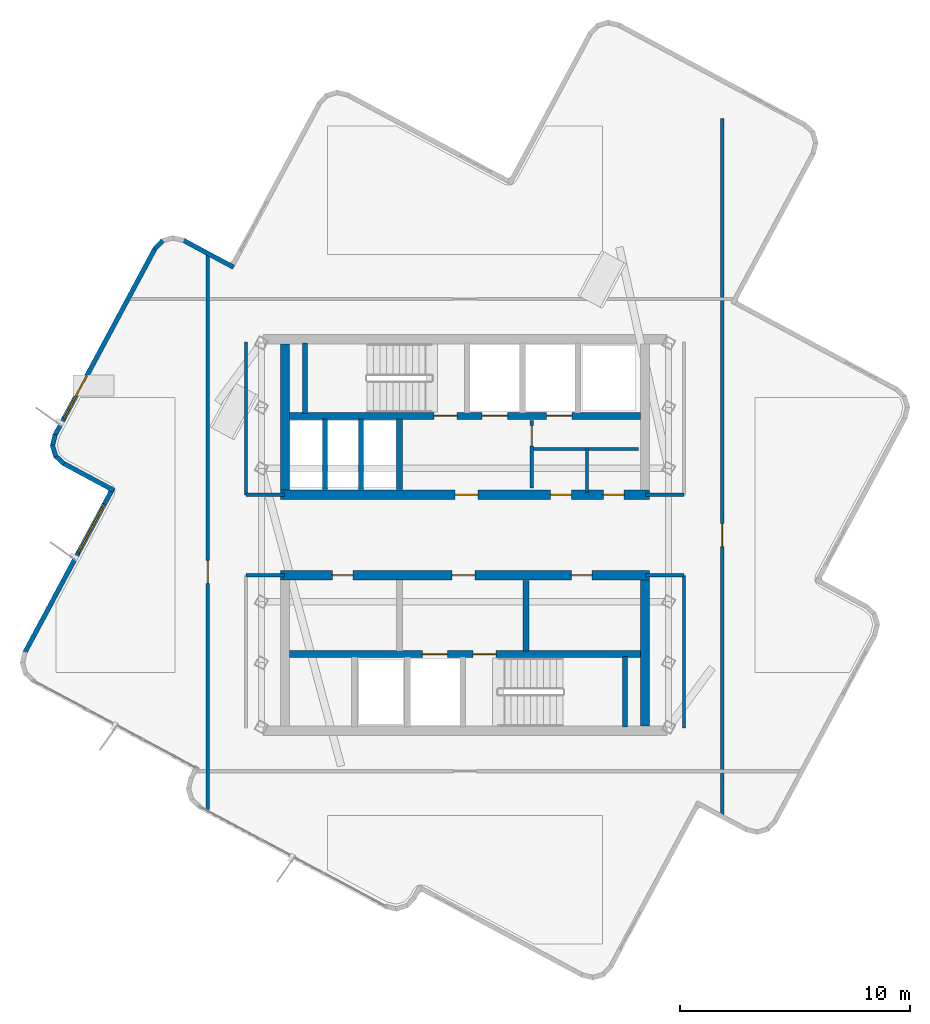
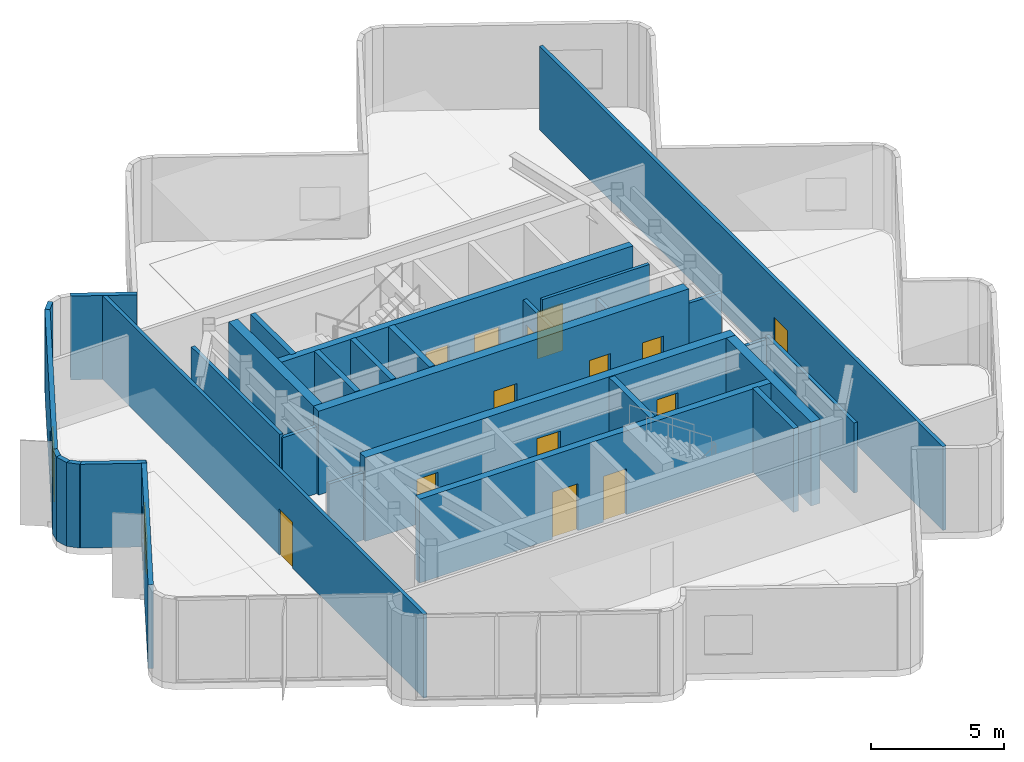
# One storey, part 4 of 9: 31 walls, 14 doors, 2 windows, 16 openings.
"""IFC4 building model written with IfcOpenShell, lengths in metres."""

from ifc_helpers import new_model, si_unit, direction, frame, frame_2d, origin, place, context, subcontext, project, spatial, rectangle, extrude, material, layer, layer_set, type_object, element, fill, save


model = new_model("IFC4")

# Units and contexts
model_context = context("Model", 3, precision=1e-05, world=origin(), true_north=direction((0.0, 1.0)))
body_context = subcontext(model_context, "Body", "Model", "MODEL_VIEW")
ifc_project = project(units=[si_unit("LENGTHUNIT", "METRE"), si_unit("AREAUNIT", "SQUARE_METRE"), si_unit("VOLUMEUNIT", "CUBIC_METRE"), si_unit("PLANEANGLEUNIT", "RADIAN"), si_unit("MASSUNIT", "GRAM", prefix="KILO")], contexts=[model_context])

# Site, building, storey
site_placement = place(None, origin())
site = spatial("IfcSite", under=ifc_project, at=site_placement, CompositionType="ELEMENT")
building_placement = place(site_placement, origin())
building = spatial("IfcBuilding", under=site, at=building_placement, Name="Solmarez Civic Tower", CompositionType="ELEMENT")
storey_placement = place(building_placement, frame((0.0, 0.0, 285.1201171875)))
storey = spatial("IfcBuildingStorey", under=building, at=storey_placement, Name="L77 Crown", CompositionType="ELEMENT", Elevation=285.1201171875)

# Wall, openings, doors
ifc_material_1 = material(Name="Concrete C50/60", Category="concrete")
ifc_layer_1 = layer(ifc_material_1, 0.39990234375)
ifc_layer_set_1 = layer_set([ifc_layer_1], Name="Concrete C50/60")
wall_type_1 = type_object("IfcWallType", Name="WALL-CORE-400", PredefinedType="SHEAR", material=ifc_layer_set_1)
wall_1_placement = place(storey_placement, frame((8.02001953125, 1.75, 0.0), z_axis=(0.0, 0.0, 1.0), x_axis=(-1.0, 0.0, 0.0)))
wall_1 = element("IfcWall", 1, at=wall_1_placement, inside=storey, type_object=wall_type_1, Name="L77 Crown Split-Core Structural Wall NCW-S-L77 Crown", PredefinedType="SHEAR", context=body_context, shape_type="SweptSolid", body=[
    extrude(rectangle(XDim=16.0400390625, YDim=0.39990234375, at=frame_2d((8.02001953125, 0.0))), origin(), (0.0, 0.0, 1.0), 3.83984375),
])
opening_1_placement = place(wall_1_placement, frame((7.449951171875, 0.0, 0.0)))
opening_1 = element("IfcOpeningElement", 2, at=opening_1_placement, cuts=wall_1, Name="Opening D-04", PredefinedType="OPENING", context=body_context, shape_type="SweptSolid", body=[
    extrude(rectangle(XDim=1.0, YDim=2.10009765625, at=frame_2d((0.5, 1.050048828125))), frame((0.0, 0.2099609375, 0.0), z_axis=(0.0, -1.0, 0.0), x_axis=(1.0, 0.0, 0.0)), (0.0, 0.0, 1.0), 0.419921875),
])
opening_2_placement = place(wall_1_placement, frame((3.39990234375, 0.0, 0.0)))
opening_2 = element("IfcOpeningElement", 3, at=opening_2_placement, cuts=wall_1, Name="Opening D-09", PredefinedType="OPENING", context=body_context, shape_type="SweptSolid", body=[
    extrude(rectangle(XDim=0.89990234375, YDim=2.06005859375, at=frame_2d((0.449951171875, 1.030029296875))), frame((0.0, 0.2099609375, 0.0), z_axis=(0.0, -1.0, 0.0), x_axis=(1.0, 0.0, 0.0)), (0.0, 0.0, 1.0), 0.419921875),
])
opening_3_placement = place(wall_1_placement, frame((1.10009765625, 0.0, 0.0)))
opening_3 = element("IfcOpeningElement", 4, at=opening_3_placement, cuts=wall_1, Name="Opening D-09", PredefinedType="OPENING", context=body_context, shape_type="SweptSolid", body=[
    extrude(rectangle(XDim=0.89990234375, YDim=2.06005859375, at=frame_2d((0.449951171875, 1.030029296875))), frame((0.0, 0.2099609375, 0.0), z_axis=(0.0, -1.0, 0.0), x_axis=(1.0, 0.0, 0.0)), (0.0, 0.0, 1.0), 0.419921875),
])
ifc_material_2 = material(Name="Steel-Faced Acoustic Fire Door", Category="steel")
door_type_1 = type_object("IfcDoorType", Name="DOOR-FD60-1000", OperationType="NOTDEFINED", PredefinedType="DOOR", material=ifc_material_2)
door_1_placement = place(opening_1_placement, origin())
door_1 = element("IfcDoor", 5, at=door_1_placement, inside=storey, type_object=door_type_1, Name="L77 Crown North Firefighting Lobby Door", OperationType="SINGLE_SWING_RIGHT", OverallHeight=2.10009765625, OverallWidth=1.0, PredefinedType="DOOR", context=body_context, shape_type="SweptSolid", body=[
    extrude(rectangle(XDim=1.0, YDim=2.10009765625, at=frame_2d((0.5, 1.050048828125))), frame((0.0, 0.02490234375, 0.0), z_axis=(0.0, -1.0, 0.0), x_axis=(1.0, 0.0, 0.0)), (0.0, 0.0, 1.0), 0.050048828125),
])
fill(opening_1, door_1)
ifc_material_3 = material(Name="Fire-Rated Service Core Door", Category="wood")
door_type_2 = type_object("IfcDoorType", Name="DOOR-FD60-900", OperationType="NOTDEFINED", PredefinedType="DOOR", material=ifc_material_3)
door_2_placement = place(opening_2_placement, origin())
door_2 = element("IfcDoor", 6, at=door_2_placement, inside=storey, type_object=door_type_2, Name="L77 Crown Core WC Door", OperationType="SINGLE_SWING_LEFT", OverallHeight=2.06005859375, OverallWidth=0.89990234375, PredefinedType="DOOR", context=body_context, shape_type="SweptSolid", body=[
    extrude(rectangle(XDim=0.89990234375, YDim=2.06005859375, at=frame_2d((0.449951171875, 1.030029296875))), frame((0.0, 0.02490234375, 0.0), z_axis=(0.0, -1.0, 0.0), x_axis=(1.0, 0.0, 0.0)), (0.0, 0.0, 1.0), 0.050048828125),
])
fill(opening_2, door_2)
door_3_placement = place(opening_3_placement, origin())
door_3 = element("IfcDoor", 7, at=door_3_placement, inside=storey, type_object=door_type_2, Name="L77 Crown Core CL Door", OperationType="SINGLE_SWING_RIGHT", OverallHeight=2.06005859375, OverallWidth=0.89990234375, PredefinedType="DOOR", context=body_context, shape_type="SweptSolid", body=[
    extrude(rectangle(XDim=0.89990234375, YDim=2.06005859375, at=frame_2d((0.449951171875, 1.030029296875))), frame((0.0, 0.02490234375, 0.0), z_axis=(0.0, -1.0, 0.0), x_axis=(1.0, 0.0, 0.0)), (0.0, 0.0, 1.0), 0.050048828125),
])
fill(opening_3, door_3)

# Wall
wall_2_placement = place(storey_placement, frame((-7.820068359375, 1.949951171875, 0.0), z_axis=(0.0, 0.0, 1.0), x_axis=(0.0, 1.0, 0.0)))
element("IfcWall", 8, at=wall_2_placement, inside=storey, type_object=wall_type_1, Name="L77 Crown Split-Core Structural Wall NCW-W-L77 Crown", PredefinedType="SHEAR", context=body_context, shape_type="SweptSolid", body=[
    extrude(rectangle(XDim=6.360107421875, YDim=0.39990234375, at=frame_2d((3.18017578125, 0.0))), origin(), (0.0, 0.0, 1.0), 3.83984375),
])

# Wall, openings, doors
wall_3_placement = place(storey_placement, frame((-8.02001953125, -1.75, 0.0), z_axis=(0.0, 0.0, 1.0), x_axis=(1.0, 0.0, 0.0)))
wall_3 = element("IfcWall", 9, at=wall_3_placement, inside=storey, type_object=wall_type_1, Name="L77 Crown Split-Core Structural Wall SCW-N-L77 Crown", PredefinedType="SHEAR", context=body_context, shape_type="SweptSolid", body=[
    extrude(rectangle(XDim=16.0400390625, YDim=0.39990234375, at=frame_2d((8.02001953125, 0.0))), origin(), (0.0, 0.0, 1.0), 3.83984375),
])
opening_4_placement = place(wall_3_placement, frame((7.449951171875, 0.0, 0.0)))
opening_4 = element("IfcOpeningElement", 10, at=opening_4_placement, cuts=wall_3, Name="Opening D-04", PredefinedType="OPENING", context=body_context, shape_type="SweptSolid", body=[
    extrude(rectangle(XDim=1.0, YDim=2.10009765625, at=frame_2d((0.5, 1.050048828125))), frame((0.0, 0.2099609375, 0.0), z_axis=(0.0, -1.0, 0.0), x_axis=(1.0, 0.0, 0.0)), (0.0, 0.0, 1.0), 0.419921875),
])
opening_5_placement = place(wall_3_placement, frame((12.64990234375, 0.0, 0.0)))
opening_5 = element("IfcOpeningElement", 11, at=opening_5_placement, cuts=wall_3, Name="Opening D-09", PredefinedType="OPENING", context=body_context, shape_type="SweptSolid", body=[
    extrude(rectangle(XDim=0.89990234375, YDim=2.06005859375, at=frame_2d((0.449951171875, 1.030029296875))), frame((0.0, 0.2099609375, 0.0), z_axis=(0.0, -1.0, 0.0), x_axis=(1.0, 0.0, 0.0)), (0.0, 0.0, 1.0), 0.419921875),
])
opening_6_placement = place(wall_3_placement, frame((2.25, 0.0, 0.0)))
opening_6 = element("IfcOpeningElement", 12, at=opening_6_placement, cuts=wall_3, Name="Opening D-09", PredefinedType="OPENING", context=body_context, shape_type="SweptSolid", body=[
    extrude(rectangle(XDim=0.89990234375, YDim=2.06005859375, at=frame_2d((0.449951171875, 1.030029296875))), frame((0.0, 0.2099609375, 0.0), z_axis=(0.0, -1.0, 0.0), x_axis=(1.0, 0.0, 0.0)), (0.0, 0.0, 1.0), 0.419921875),
])
door_4_placement = place(opening_4_placement, origin())
door_4 = element("IfcDoor", 13, at=door_4_placement, inside=storey, type_object=door_type_1, Name="L77 Crown South Firefighting Lobby Door", OperationType="SINGLE_SWING_LEFT", OverallHeight=2.10009765625, OverallWidth=1.0, PredefinedType="DOOR", context=body_context, shape_type="SweptSolid", body=[
    extrude(rectangle(XDim=1.0, YDim=2.10009765625, at=frame_2d((0.5, 1.050048828125))), frame((0.0, 0.02490234375, 0.0), z_axis=(0.0, -1.0, 0.0), x_axis=(1.0, 0.0, 0.0)), (0.0, 0.0, 1.0), 0.050048828125),
])
fill(opening_4, door_4)
door_5_placement = place(opening_5_placement, origin())
door_5 = element("IfcDoor", 14, at=door_5_placement, inside=storey, type_object=door_type_2, Name="L77 Crown Freed Hoistway Mailroom Door", OperationType="SINGLE_SWING_LEFT", OverallHeight=2.06005859375, OverallWidth=0.89990234375, PredefinedType="DOOR", context=body_context, shape_type="SweptSolid", body=[
    extrude(rectangle(XDim=0.89990234375, YDim=2.06005859375, at=frame_2d((0.449951171875, 1.030029296875))), frame((0.0, 0.02490234375, 0.0), z_axis=(0.0, -1.0, 0.0), x_axis=(1.0, 0.0, 0.0)), (0.0, 0.0, 1.0), 0.050048828125),
])
fill(opening_5, door_5)
door_6_placement = place(opening_6_placement, origin())
door_6 = element("IfcDoor", 15, at=door_6_placement, inside=storey, type_object=door_type_2, Name="L77 Crown Delegation Tea Pantry Door", OperationType="SINGLE_SWING_RIGHT", OverallHeight=2.06005859375, OverallWidth=0.89990234375, PredefinedType="DOOR", context=body_context, shape_type="SweptSolid", body=[
    extrude(rectangle(XDim=0.89990234375, YDim=2.06005859375, at=frame_2d((0.449951171875, 1.030029296875))), frame((0.0, 0.02490234375, 0.0), z_axis=(0.0, -1.0, 0.0), x_axis=(1.0, 0.0, 0.0)), (0.0, 0.0, 1.0), 0.050048828125),
])
fill(opening_6, door_6)

# Wall
wall_4_placement = place(storey_placement, frame((7.820068359375, -1.949951171875, 0.0), z_axis=(0.0, 0.0, 1.0), x_axis=(0.0, -1.0, 0.0)))
element("IfcWall", 16, at=wall_4_placement, inside=storey, type_object=wall_type_1, Name="L77 Crown Split-Core Structural Wall SCW-E-L77 Crown", PredefinedType="SHEAR", context=body_context, shape_type="SweptSolid", body=[
    extrude(rectangle(XDim=6.360107421875, YDim=0.39990234375, at=frame_2d((3.18017578125, 0.0))), origin(), (0.0, 0.0, 1.0), 3.83984375),
])

# Wall, opening, window
ifc_material_4 = material(Name="Precast concrete C40/50", Category="concrete")
ifc_layer_2 = layer(ifc_material_4, 0.199951171875)
ifc_layer_set_2 = layer_set([ifc_layer_2], Name="Precast concrete C40/50")
wall_type_2 = type_object("IfcWallType", Name="WALL-EXT-200", PredefinedType="SOLIDWALL", material=ifc_layer_set_2)
wall_5_placement = place(storey_placement, frame((-19.14404296875, -5.1240234375, 0.0), z_axis=(0.0, 0.0, 1.0), x_axis=(0.472628491439, 0.881261771031, 0.0)))
wall_5 = element("IfcWall", 17, at=wall_5_placement, inside=storey, type_object=wall_type_2, Name="L77 Crown Exterior Precast Wall 17", PredefinedType="SOLIDWALL", context=body_context, shape_type="SweptSolid", body=[
    extrude(rectangle(XDim=8.137451171875, YDim=0.199951171875, at=frame_2d((4.06884765625, 0.0))), origin(), (0.0, 0.0, 1.0), 3.83984375),
])
opening_7_placement = place(wall_5_placement, frame((4.93701171875, 0.0, 0.85009765625)))
opening_7 = element("IfcOpeningElement", 18, at=opening_7_placement, cuts=wall_5, Name="Opening W-10", PredefinedType="OPENING", context=body_context, shape_type="SweptSolid", body=[
    extrude(rectangle(XDim=2.39990234375, YDim=1.64990234375, at=frame_2d((1.199951171875, 0.824951171875))), frame((0.0, 0.10986328125, 0.0), z_axis=(0.0, -1.0, 0.0), x_axis=(1.0, 0.0, 0.0)), (0.0, 0.0, 1.0), 0.219970703125),
])
ifc_material_5 = material(Name="Solar Control Bronze-Tinted Insulating Glass", Category="glass")
window_type_1 = type_object("IfcWindowType", Name="WIN-2400X1650", PartitioningType="SINGLE_PANEL", PredefinedType="WINDOW", material=ifc_material_5)
window_1_placement = place(opening_7_placement, origin())
window_1 = element("IfcWindow", 19, at=window_1_placement, inside=storey, type_object=window_type_1, Name="L77 Crown Exterior Facade Window 17", OverallHeight=1.64990234375, OverallWidth=2.39990234375, PartitioningType="SINGLE_PANEL", PredefinedType="WINDOW", context=body_context, shape_type="SweptSolid", body=[
    extrude(rectangle(XDim=2.39990234375, YDim=1.64990234375, at=frame_2d((1.199951171875, 0.824951171875))), frame((0.0, 0.030029296875, 0.0), z_axis=(0.0, -1.0, 0.0), x_axis=(1.0, 0.0, 0.0)), (0.0, 0.0, 1.0), 0.06005859375),
])
fill(opening_7, window_1)

# Walls
wall_6_placement = place(storey_placement, frame((-15.264892578125, 1.93798828125, 0.0), z_axis=(0.0, 0.0, 1.0), x_axis=(-0.881265297533, 0.472621915875, 0.0)))
element("IfcWall", 20, at=wall_6_placement, inside=storey, type_object=wall_type_2, Name="L77 Crown Exterior Precast Wall 20", PredefinedType="SOLIDWALL", context=body_context, shape_type="SweptSolid", body=[
    extrude(rectangle(XDim=2.503173828125, YDim=0.199951171875, at=frame_2d((1.25146484375, 0.0))), origin(), (0.0, 0.0, 1.0), 3.83984375),
])
wall_7_placement = place(storey_placement, frame((-17.430908203125, 3.092041015625, 0.0), z_axis=(0.0, 0.0, 1.0), x_axis=(-0.728771001466, 0.684757495338, 0.0)))
element("IfcWall", 21, at=wall_7_placement, inside=storey, type_object=wall_type_2, Name="L77 Crown Exterior Precast Wall 21", PredefinedType="SOLIDWALL", context=body_context, shape_type="SweptSolid", body=[
    extrude(rectangle(XDim=0.52685546875, YDim=0.199951171875, at=frame_2d((0.263427734375, 0.0))), origin(), (0.0, 0.0, 1.0), 3.83984375),
])
wall_8_placement = place(storey_placement, frame((-17.7900390625, 3.412109375, 0.0), z_axis=(0.0, 0.0, 1.0), x_axis=(-0.287478448092, 0.957787106763, 0.0)))
element("IfcWall", 22, at=wall_8_placement, inside=storey, type_object=wall_type_2, Name="L77 Crown Exterior Precast Wall 22", PredefinedType="SOLIDWALL", context=body_context, shape_type="SweptSolid", body=[
    extrude(rectangle(XDim=0.5146484375, YDim=0.199951171875, at=frame_2d((0.25732421875, 0.0))), origin(), (0.0, 0.0, 1.0), 3.83984375),
])
wall_9_placement = place(storey_placement, frame((-17.93701171875, 3.85693359375, 0.0), z_axis=(0.0, 0.0, 1.0), x_axis=(0.229658673522, 0.973271233355, 0.0)))
element("IfcWall", 23, at=wall_9_placement, inside=storey, type_object=wall_type_2, Name="L77 Crown Exterior Precast Wall 23", PredefinedType="SOLIDWALL", context=body_context, shape_type="SweptSolid", body=[
    extrude(rectangle(XDim=0.52734375, YDim=0.199951171875, at=frame_2d((0.263671875, 0.0))), origin(), (0.0, 0.0, 1.0), 3.83984375),
])

# Wall, opening, window
wall_10_placement = place(storey_placement, frame((-17.833984375, 4.323974609375, 0.0), z_axis=(0.0, 0.0, 1.0), x_axis=(0.472635928498, 0.881257782429, 0.0)))
wall_10 = element("IfcWall", 24, at=wall_10_placement, inside=storey, type_object=wall_type_2, Name="L77 Crown Exterior Precast Wall 24", PredefinedType="SOLIDWALL", context=body_context, shape_type="SweptSolid", body=[
    extrude(rectangle(XDim=9.2333984375, YDim=0.199951171875, at=frame_2d((4.61669921875, 0.0))), origin(), (0.0, 0.0, 1.0), 3.83984375),
])
opening_8_placement = place(wall_10_placement, frame((0.85009765625, 0.0, 0.85009765625)))
opening_8 = element("IfcOpeningElement", 25, at=opening_8_placement, cuts=wall_10, Name="Opening W-03", PredefinedType="OPENING", context=body_context, shape_type="SweptSolid", body=[
    extrude(rectangle(XDim=2.10009765625, YDim=2.0, at=frame_2d((1.050048828125, 1.0))), frame((0.0, 0.10986328125, 0.0), z_axis=(0.0, -1.0, 0.0), x_axis=(1.0, 0.0, 0.0)), (0.0, 0.0, 1.0), 0.219970703125),
])
window_type_2 = type_object("IfcWindowType", Name="WIN-2100X2000", PartitioningType="SINGLE_PANEL", PredefinedType="WINDOW", material=ifc_material_5)
window_2_placement = place(opening_8_placement, origin())
window_2 = element("IfcWindow", 26, at=window_2_placement, inside=storey, type_object=window_type_2, Name="L77 Crown Exterior Facade Window 24", OverallHeight=2.0, OverallWidth=2.10009765625, PartitioningType="SINGLE_PANEL", PredefinedType="WINDOW", context=body_context, shape_type="SweptSolid", body=[
    extrude(rectangle(XDim=2.10009765625, YDim=2.0, at=frame_2d((1.050048828125, 1.0))), frame((0.0, 0.030029296875, 0.0), z_axis=(0.0, -1.0, 0.0), x_axis=(1.0, 0.0, 0.0)), (0.0, 0.0, 1.0), 0.06005859375),
])
fill(opening_8, window_2)

# Walls
wall_11_placement = place(storey_placement, frame((-13.4990234375, 12.4208984375, 0.0), z_axis=(0.0, 0.0, 1.0), x_axis=(0.684079586619, 0.72940737532, 0.0)))
element("IfcWall", 27, at=wall_11_placement, inside=storey, type_object=wall_type_2, Name="L77 Crown Exterior Precast Wall 25", PredefinedType="SOLIDWALL", context=body_context, shape_type="SweptSolid", body=[
    extrude(rectangle(XDim=0.52783203125, YDim=0.199951171875, at=frame_2d((0.263916015625, 0.0))), origin(), (0.0, 0.0, 1.0), 3.83984375),
])
wall_12_placement = place(storey_placement, frame((-12.26806640625, 12.824951171875, 0.0), z_axis=(0.0, 0.0, 1.0), x_axis=(0.881305917183, -0.472546167414, 0.0)))
element("IfcWall", 28, at=wall_12_placement, inside=storey, type_object=wall_type_2, Name="L77 Crown Exterior Precast Wall 28", PredefinedType="SOLIDWALL", context=body_context, shape_type="SweptSolid", body=[
    extrude(rectangle(XDim=2.503173828125, YDim=0.199951171875, at=frame_2d((1.25146484375, 0.0))), origin(), (0.0, 0.0, 1.0), 3.83984375),
])
ifc_material_6 = material(Name="Gypsum Board Acoustic Steel-Stud Partition", Category="steel")
ifc_layer_3 = layer(ifc_material_6, 0.14990234375)
ifc_layer_set_3 = layer_set([ifc_layer_3], Name="Gypsum Board Acoustic Steel-Stud Partition")
wall_type_3 = type_object("IfcWallType", Name="WALL-INT-FIRE-150", PredefinedType="PARTITIONING", material=ifc_layer_set_3)
wall_13_placement = place(storey_placement, frame((-9.52001953125, 1.75, 0.0), z_axis=(0.0, 0.0, 1.0), x_axis=(0.0, 1.0, 0.0)))
element("IfcWall", 29, at=wall_13_placement, inside=storey, type_object=wall_type_3, Name="L77 Crown Interior Partition CHW-L77 Crown-WN1", PredefinedType="PARTITIONING", context=body_context, shape_type="SweptSolid", body=[
    extrude(rectangle(XDim=6.6298828125, YDim=0.14990234375, at=frame_2d((3.31494140625, 0.0))), origin(), (0.0, 0.0, 1.0), 3.2099609375),
])
for number, where, z_axis, x_axis, name in (
    (30, (-7.85009765625, 1.75, 0.0), (0.0, 0.0, 1.0), (-1.0, 0.0, 0.0), "L77 Crown Interior Partition CHW-L77 Crown-WN3"),
    (31, (-7.85009765625, -1.75, 0.0), (0.0, 0.0, 1.0), (-1.0, 0.0, 0.0), "L77 Crown Interior Partition CHW-L77 Crown-WS3"),
    (32, (7.85009765625, 1.75, 0.0), (0.0, 0.0, 1.0), (1.0, 0.0, 0.0), "L77 Crown Interior Partition CHW-L77 Crown-EN3"),
):
    element("IfcWall", number, at=place(storey_placement, frame(where, z_axis=z_axis, x_axis=x_axis)), inside=storey, type_object=wall_type_3, Name=name, PredefinedType="PARTITIONING", context=body_context, shape_type="SweptSolid", body=[
        extrude(rectangle(XDim=1.669921875, YDim=0.14990234375, at=frame_2d((0.8349609375, 0.0))), origin(), (0.0, 0.0, 1.0), 3.06982421875),
    ])
wall_14_placement = place(storey_placement, frame((9.52001953125, -8.3798828125, 0.0), z_axis=(0.0, 0.0, 1.0), x_axis=(0.0, 1.0, 0.0)))
element("IfcWall", 33, at=wall_14_placement, inside=storey, type_object=wall_type_3, Name="L77 Crown Interior Partition CHW-L77 Crown-ES1", PredefinedType="PARTITIONING", context=body_context, shape_type="SweptSolid", body=[
    extrude(rectangle(XDim=6.6298828125, YDim=0.14990234375, at=frame_2d((3.31494140625, 0.0))), origin(), (0.0, 0.0, 1.0), 3.2099609375),
])
wall_15_placement = place(storey_placement, frame((7.85009765625, -1.75, 0.0), z_axis=(0.0, 0.0, 1.0), x_axis=(1.0, 0.0, 0.0)))
element("IfcWall", 34, at=wall_15_placement, inside=storey, type_object=wall_type_3, Name="L77 Crown Interior Partition CHW-L77 Crown-ES3", PredefinedType="PARTITIONING", context=body_context, shape_type="SweptSolid", body=[
    extrude(rectangle(XDim=1.669921875, YDim=0.14990234375, at=frame_2d((0.8349609375, 0.0))), origin(), (0.0, 0.0, 1.0), 3.06982421875),
])

# Wall, opening, door
wall_16_placement = place(storey_placement, frame((11.179931640625, 18.10009765625, 0.0), z_axis=(0.0, 0.0, 1.0), x_axis=(0.0, -1.0, 0.0)))
wall_16 = element("IfcWall", 35, at=wall_16_placement, inside=storey, type_object=wall_type_3, Name="L77 Crown Interior Partition PT-L77 Crown-E", PredefinedType="PARTITIONING", context=body_context, shape_type="SweptSolid", body=[
    extrude(rectangle(XDim=30.26708984375, YDim=0.14990234375, at=frame_2d((15.133544921875, 0.0))), origin(), (0.0, 0.0, 1.0), 3.83984375),
])
opening_9_placement = place(wall_16_placement, frame((17.60009765625, 0.0, 0.0)))
opening_9 = element("IfcOpeningElement", 36, at=opening_9_placement, cuts=wall_16, Name="Opening D-04", PredefinedType="OPENING", context=body_context, shape_type="SweptSolid", body=[
    extrude(rectangle(XDim=1.0, YDim=2.10009765625, at=frame_2d((0.5, 1.050048828125))), frame((0.0, 0.0849609375, 0.0), z_axis=(0.0, -1.0, 0.0), x_axis=(1.0, 0.0, 0.0)), (0.0, 0.0, 1.0), 0.169921875),
])
door_7_placement = place(opening_9_placement, origin())
door_7 = element("IfcDoor", 37, at=door_7_placement, inside=storey, type_object=door_type_1, Name="L77 Crown Botanical Conservatory Garden Door", OperationType="SINGLE_SWING_LEFT", OverallHeight=2.10009765625, OverallWidth=1.0, PredefinedType="DOOR", context=body_context, shape_type="SweptSolid", body=[
    extrude(rectangle(XDim=1.0, YDim=2.10009765625, at=frame_2d((0.5, 1.050048828125))), frame((0.0, 0.02490234375, 0.0), z_axis=(0.0, -1.0, 0.0), x_axis=(1.0, 0.0, 0.0)), (0.0, 0.0, 1.0), 0.050048828125),
])
fill(opening_9, door_7)

wall_17_placement = place(storey_placement, frame((-11.179931640625, -11.927978515625, 0.0), z_axis=(0.0, 0.0, 1.0), x_axis=(0.0, 1.0, 0.0)))
wall_17 = element("IfcWall", 38, at=wall_17_placement, inside=storey, type_object=wall_type_3, Name="L77 Crown Interior Partition PT-L77 Crown-W", PredefinedType="PARTITIONING", context=body_context, shape_type="SweptSolid", body=[
    extrude(rectangle(XDim=24.094970703125, YDim=0.14990234375, at=frame_2d((12.04736328125, 0.0))), origin(), (0.0, 0.0, 1.0), 3.83984375),
])
opening_10_placement = place(wall_17_placement, frame((9.827880859375, 0.0, 0.0)))
opening_10 = element("IfcOpeningElement", 39, at=opening_10_placement, cuts=wall_17, Name="Opening D-04", PredefinedType="OPENING", context=body_context, shape_type="SweptSolid", body=[
    extrude(rectangle(XDim=1.0, YDim=2.10009765625, at=frame_2d((0.5, 1.050048828125))), frame((0.0, 0.0849609375, 0.0), z_axis=(0.0, -1.0, 0.0), x_axis=(1.0, 0.0, 0.0)), (0.0, 0.0, 1.0), 0.169921875),
])
door_8_placement = place(opening_10_placement, origin())
door_8 = element("IfcDoor", 40, at=door_8_placement, inside=storey, type_object=door_type_1, Name="L77 Crown Tropical Orchid Reading Garden Door", OperationType="SINGLE_SWING_LEFT", OverallHeight=2.10009765625, OverallWidth=1.0, PredefinedType="DOOR", context=body_context, shape_type="SweptSolid", body=[
    extrude(rectangle(XDim=1.0, YDim=2.10009765625, at=frame_2d((0.5, 1.050048828125))), frame((0.0, 0.02490234375, 0.0), z_axis=(0.0, -1.0, 0.0), x_axis=(1.0, 0.0, 0.0)), (0.0, 0.0, 1.0), 0.050048828125),
])
fill(opening_10, door_8)

ifc_layer_4 = layer(ifc_material_6, 0.159912109375)
ifc_layer_set_4 = layer_set([ifc_layer_4], Name="Gypsum Board Acoustic Steel-Stud Partition")
wall_type_4 = type_object("IfcWallType", Name="WALL-INT-SHAFT-160", PredefinedType="PARTITIONING", material=ifc_layer_set_4)
wall_18_placement = place(storey_placement, frame((2.89990234375, 2.0400390625, 0.0), z_axis=(0.0, 0.0, 1.0), x_axis=(0.0, 1.0, 0.0)))
wall_18 = element("IfcWall", 41, at=wall_18_placement, inside=storey, type_object=wall_type_4, Name="L77 Crown Interior Partition SHW-NL2-L77 Crown", PredefinedType="PARTITIONING", context=body_context, shape_type="SweptSolid", body=[
    extrude(rectangle(XDim=2.93994140625, YDim=0.159912109375, at=frame_2d((1.469970703125, 0.0))), origin(), (0.0, 0.0, 1.0), 3.06982421875),
])
opening_11_placement = place(wall_18_placement, frame((1.820068359375, 0.0, 0.0)))
opening_11 = element("IfcOpeningElement", 42, at=opening_11_placement, cuts=wall_18, Name="Opening D-09", PredefinedType="OPENING", context=body_context, shape_type="SweptSolid", body=[
    extrude(rectangle(XDim=0.89990234375, YDim=2.06005859375, at=frame_2d((0.449951171875, 1.030029296875))), frame((0.0, 0.08984375, 0.0), z_axis=(0.0, -1.0, 0.0), x_axis=(1.0, 0.0, 0.0)), (0.0, 0.0, 1.0), 0.179931640625),
])
door_9_placement = place(opening_11_placement, origin())
door_9 = element("IfcDoor", 43, at=door_9_placement, inside=storey, type_object=door_type_2, Name="L77 Crown Service Lift Lobby Door", OperationType="SINGLE_SWING_LEFT", OverallHeight=2.06005859375, OverallWidth=0.89990234375, PredefinedType="DOOR", context=body_context, shape_type="SweptSolid", body=[
    extrude(rectangle(XDim=0.89990234375, YDim=2.06005859375, at=frame_2d((0.449951171875, 1.030029296875))), frame((0.0, 0.02490234375, 0.0), z_axis=(0.0, -1.0, 0.0), x_axis=(1.0, 0.0, 0.0)), (0.0, 0.0, 1.0), 0.050048828125),
])
fill(opening_11, door_9)

# Walls
ifc_layer_5 = layer(ifc_material_6, 0.137939453125)
ifc_layer_set_5 = layer_set([ifc_layer_5], Name="Gypsum Board Acoustic Steel-Stud Partition")
wall_type_5 = type_object("IfcWallType", Name="WALL-INT-WET-140", PredefinedType="PARTITIONING", material=ifc_layer_set_5)
wall_19_placement = place(storey_placement, frame((2.89990234375, 3.739990234375, 0.0), z_axis=(0.0, 0.0, 1.0), x_axis=(1.0, 0.0, 0.0)))
element("IfcWall", 44, at=wall_19_placement, inside=storey, type_object=wall_type_5, Name="L77 Crown Interior Partition SHW-SVH-L77 Crown", PredefinedType="PARTITIONING", context=body_context, shape_type="SweptSolid", body=[
    extrude(rectangle(XDim=4.650146484375, YDim=0.137939453125, at=frame_2d((2.3251953125, 0.0))), origin(), (0.0, 0.0, 1.0), 3.83984375),
])
wall_20_placement = place(storey_placement, frame((5.300048828125, 1.85009765625, 0.0), z_axis=(0.0, 0.0, 1.0), x_axis=(0.0, 1.0, 0.0)))
element("IfcWall", 45, at=wall_20_placement, inside=storey, type_object=wall_type_5, Name="L77 Crown Interior Partition PT-NCSV-L77 Crown", PredefinedType="PARTITIONING", context=body_context, shape_type="SweptSolid", body=[
    extrude(rectangle(XDim=1.889892578125, YDim=0.137939453125, at=frame_2d((0.94482421875, 0.0))), origin(), (0.0, 0.0, 1.0), 3.06982421875),
])

# Wall, openings, doors
ifc_layer_6 = layer(ifc_material_1, 0.300048828125)
ifc_layer_set_6 = layer_set([ifc_layer_6], Name="Concrete C50/60")
wall_type_6 = type_object("IfcWallType", Name="WALL-STR-300", PredefinedType="SOLIDWALL", material=ifc_layer_set_6)
wall_21_placement = place(storey_placement, frame((7.6201171875, 5.179931640625, 0.0), z_axis=(0.0, 0.0, 1.0), x_axis=(-1.0, 0.0, 0.0)))
wall_21 = element("IfcWall", 46, at=wall_21_placement, inside=storey, type_object=wall_type_6, Name="L77 Crown Split-Core Structural Wall NCW-M-L77 Crown", PredefinedType="SOLIDWALL", context=body_context, shape_type="SweptSolid", body=[
    extrude(rectangle(XDim=15.240234375, YDim=0.300048828125, at=frame_2d((7.6201171875, 0.0))), origin(), (0.0, 0.0, 1.0), 3.83984375),
])
opening_12_placement = place(wall_21_placement, frame((5.77001953125, 0.0, 0.0)))
opening_12 = element("IfcOpeningElement", 47, at=opening_12_placement, cuts=wall_21, Name="Opening LD-02", PredefinedType="OPENING", context=body_context, shape_type="SweptSolid", body=[
    extrude(rectangle(XDim=1.10009765625, YDim=2.14990234375, at=frame_2d((0.550048828125, 1.074951171875))), frame((0.0, 0.159912109375, 0.0), z_axis=(0.0, -1.0, 0.0), x_axis=(1.0, 0.0, 0.0)), (0.0, 0.0, 1.0), 0.320068359375),
])
opening_13_placement = place(wall_21_placement, frame((2.969970703125, 0.0, 0.0)))
opening_13 = element("IfcOpeningElement", 48, at=opening_13_placement, cuts=wall_21, Name="Opening LD-03", PredefinedType="OPENING", context=body_context, shape_type="SweptSolid", body=[
    extrude(rectangle(XDim=1.10009765625, YDim=2.14990234375, at=frame_2d((0.550048828125, 1.074951171875))), frame((0.0, 0.159912109375, 0.0), z_axis=(0.0, -1.0, 0.0), x_axis=(1.0, 0.0, 0.0)), (0.0, 0.0, 1.0), 0.320068359375),
])
opening_14_placement = place(wall_21_placement, frame((7.969970703125, 0.0, 0.0)))
opening_14 = element("IfcOpeningElement", 49, at=opening_14_placement, cuts=wall_21, Name="Opening D-05", PredefinedType="OPENING", context=body_context, shape_type="SweptSolid", body=[
    extrude(rectangle(XDim=1.0, YDim=2.10009765625, at=frame_2d((0.5, 1.050048828125))), frame((0.0, 0.159912109375, 0.0), z_axis=(0.0, -1.0, 0.0), x_axis=(1.0, 0.0, 0.0)), (0.0, 0.0, 1.0), 0.320068359375),
])
ifc_material_7 = material(Name="Fire-Rated Stairwell Exit Door", Category="wood")
door_type_3 = type_object("IfcDoorType", Name="DOOR-FD90-1000", OperationType="NOTDEFINED", PredefinedType="DOOR", material=ifc_material_7)
door_10_placement = place(opening_14_placement, origin())
door_10 = element("IfcDoor", 50, at=door_10_placement, inside=storey, type_object=door_type_3, Name="L77 Crown North Exit Stair Door ST-1", OperationType="SINGLE_SWING_RIGHT", OverallHeight=2.10009765625, OverallWidth=1.0, PredefinedType="DOOR", context=body_context, shape_type="SweptSolid", body=[
    extrude(rectangle(XDim=1.0, YDim=2.10009765625, at=frame_2d((0.5, 1.050048828125))), frame((0.0, 0.02490234375, 0.0), z_axis=(0.0, -1.0, 0.0), x_axis=(1.0, 0.0, 0.0)), (0.0, 0.0, 1.0), 0.050048828125),
])
fill(opening_14, door_10)
ifc_material_8 = material(Name="Stainless Firefighting Lift Landing Sliding Door", Category="aluminium")
door_type_4 = type_object("IfcDoorType", Name="DOOR-LD-FF-1100", OperationType="DOUBLE_DOOR_SLIDING", PredefinedType="DOOR", material=ifc_material_8)
door_11_placement = place(opening_12_placement, origin())
door_11 = element("IfcDoor", 51, at=door_11_placement, inside=storey, type_object=door_type_4, Name="L77 Crown Firefighting Lift Landing Door FFL-1", OperationType="DOUBLE_DOOR_SLIDING", OverallHeight=2.14990234375, OverallWidth=1.10009765625, PredefinedType="DOOR", context=body_context, shape_type="SweptSolid", body=[
    extrude(rectangle(XDim=1.10009765625, YDim=2.14990234375, at=frame_2d((0.550048828125, 1.074951171875))), frame((0.0, 0.02490234375, 0.0), z_axis=(0.0, -1.0, 0.0), x_axis=(1.0, 0.0, 0.0)), (0.0, 0.0, 1.0), 0.050048828125),
])
fill(opening_12, door_11)
ifc_material_9 = material(Name="Stainless Stretcher Lift Landing Sliding Door", Category="aluminium")
door_type_5 = type_object("IfcDoorType", Name="DOOR-LD-SV-1100", OperationType="DOUBLE_DOOR_SLIDING", PredefinedType="DOOR", material=ifc_material_9)
door_12_placement = place(opening_13_placement, origin())
door_12 = element("IfcDoor", 52, at=door_12_placement, inside=storey, type_object=door_type_5, Name="L77 Crown Service Stretcher Lift Landing Door SVL-1", OperationType="DOUBLE_DOOR_SLIDING", OverallHeight=2.14990234375, OverallWidth=1.10009765625, PredefinedType="DOOR", context=body_context, shape_type="SweptSolid", body=[
    extrude(rectangle(XDim=1.10009765625, YDim=2.14990234375, at=frame_2d((0.550048828125, 1.074951171875))), frame((0.0, 0.02490234375, 0.0), z_axis=(0.0, -1.0, 0.0), x_axis=(1.0, 0.0, 0.0)), (0.0, 0.0, 1.0), 0.050048828125),
])
fill(opening_13, door_12)

wall_22_placement = place(storey_placement, frame((-7.6201171875, -5.179931640625, 0.0), z_axis=(0.0, 0.0, 1.0), x_axis=(1.0, 0.0, 0.0)))
wall_22 = element("IfcWall", 53, at=wall_22_placement, inside=storey, type_object=wall_type_6, Name="L77 Crown Split-Core Structural Wall SCW-M-L77 Crown", PredefinedType="SOLIDWALL", context=body_context, shape_type="SweptSolid", body=[
    extrude(rectangle(XDim=15.240234375, YDim=0.300048828125, at=frame_2d((7.6201171875, 0.0))), origin(), (0.0, 0.0, 1.0), 3.83984375),
])
opening_15_placement = place(wall_22_placement, frame((5.77001953125, 0.0, 0.0)))
opening_15 = element("IfcOpeningElement", 54, at=opening_15_placement, cuts=wall_22, Name="Opening LD-02", PredefinedType="OPENING", context=body_context, shape_type="SweptSolid", body=[
    extrude(rectangle(XDim=1.10009765625, YDim=2.14990234375, at=frame_2d((0.550048828125, 1.074951171875))), frame((0.0, 0.159912109375, 0.0), z_axis=(0.0, -1.0, 0.0), x_axis=(1.0, 0.0, 0.0)), (0.0, 0.0, 1.0), 0.320068359375),
])
opening_16_placement = place(wall_22_placement, frame((7.969970703125, 0.0, 0.0)))
opening_16 = element("IfcOpeningElement", 55, at=opening_16_placement, cuts=wall_22, Name="Opening D-05", PredefinedType="OPENING", context=body_context, shape_type="SweptSolid", body=[
    extrude(rectangle(XDim=1.0, YDim=2.10009765625, at=frame_2d((0.5, 1.050048828125))), frame((0.0, 0.159912109375, 0.0), z_axis=(0.0, -1.0, 0.0), x_axis=(1.0, 0.0, 0.0)), (0.0, 0.0, 1.0), 0.320068359375),
])
door_13_placement = place(opening_16_placement, origin())
door_13 = element("IfcDoor", 56, at=door_13_placement, inside=storey, type_object=door_type_3, Name="L77 Crown South Exit Stair Door ST-2", OperationType="SINGLE_SWING_LEFT", OverallHeight=2.10009765625, OverallWidth=1.0, PredefinedType="DOOR", context=body_context, shape_type="SweptSolid", body=[
    extrude(rectangle(XDim=1.0, YDim=2.10009765625, at=frame_2d((0.5, 1.050048828125))), frame((0.0, 0.02490234375, 0.0), z_axis=(0.0, -1.0, 0.0), x_axis=(1.0, 0.0, 0.0)), (0.0, 0.0, 1.0), 0.050048828125),
])
fill(opening_16, door_13)
door_14_placement = place(opening_15_placement, origin())
door_14 = element("IfcDoor", 57, at=door_14_placement, inside=storey, type_object=door_type_4, Name="L77 Crown Firefighting Lift Landing Door FFL-2", OperationType="DOUBLE_DOOR_SLIDING", OverallHeight=2.14990234375, OverallWidth=1.10009765625, PredefinedType="DOOR", context=body_context, shape_type="SweptSolid", body=[
    extrude(rectangle(XDim=1.10009765625, YDim=2.14990234375, at=frame_2d((0.550048828125, 1.074951171875))), frame((0.0, 0.02490234375, 0.0), z_axis=(0.0, -1.0, 0.0), x_axis=(1.0, 0.0, 0.0)), (0.0, 0.0, 1.0), 0.050048828125),
])
fill(opening_15, door_14)

# Walls
for number, where, z_axis, x_axis, name in (
    (58, (-6.949951171875, 5.280029296875, 0.0), (0.0, 0.0, 1.0), (0.0, 1.0, 0.0), "L77 Crown Split-Core Structural Wall SHW-NW-L77 Crown"),
    (59, (6.949951171875, -8.340087890625, 0.0), (0.0, 0.0, 1.0), (0.0, 1.0, 0.0), "L77 Crown Split-Core Structural Wall SHW-SE-L77 Crown"),
):
    element("IfcWall", number, at=place(storey_placement, frame(where, z_axis=z_axis, x_axis=x_axis)), inside=storey, type_object=wall_type_6, Name=name, PredefinedType="SOLIDWALL", context=body_context, shape_type="SweptSolid", body=[
        extrude(rectangle(XDim=3.06005859375, YDim=0.219970703125, at=frame_2d((1.530029296875, 0.0))), origin(), (0.0, 0.0, 1.0), 3.83984375),
    ])
for number, where, z_axis, x_axis, name in (
    (60, (-2.85009765625, 1.97998046875, 0.0), (0.0, 0.0, 1.0), (0.0, 1.0, 0.0), "L77 Crown Split-Core Structural Wall SHW-NL1-L77 Crown"),
    (61, (2.64990234375, -5.050048828125, 0.0), (0.0, 0.0, 1.0), (0.0, 1.0, 0.0), "L77 Crown Split-Core Structural Wall SHW-SL2-L77 Crown"),
):
    element("IfcWall", number, at=place(storey_placement, frame(where, z_axis=z_axis, x_axis=x_axis)), inside=storey, type_object=wall_type_6, Name=name, PredefinedType="SOLIDWALL", context=body_context, shape_type="SweptSolid", body=[
        extrude(rectangle(XDim=3.070068359375, YDim=0.25, at=frame_2d((1.53515625, 0.0))), origin(), (0.0, 0.0, 1.0), 3.83984375),
    ])
for number, where, z_axis, x_axis, name in (
    (62, (-6.080078125, 1.97998046875, 0.0), (0.0, 0.0, 1.0), (0.0, 1.0, 0.0), "L77 Crown Split-Core Structural Wall SHW-PLH-L77 Crown-1"),
    (63, (-4.52001953125, 1.97998046875, 0.0), (0.0, 0.0, 1.0), (0.0, 1.0, 0.0), "L77 Crown Split-Core Structural Wall SHW-PLH-L77 Crown-2"),
):
    element("IfcWall", number, at=place(storey_placement, frame(where, z_axis=z_axis, x_axis=x_axis)), inside=storey, type_object=wall_type_6, Name=name, PredefinedType="SOLIDWALL", context=body_context, shape_type="SweptSolid", body=[
        extrude(rectangle(XDim=3.070068359375, YDim=0.219970703125, at=frame_2d((1.53515625, 0.0))), origin(), (0.0, 0.0, 1.0), 3.83984375),
    ])

save(model, "model.ifc")
